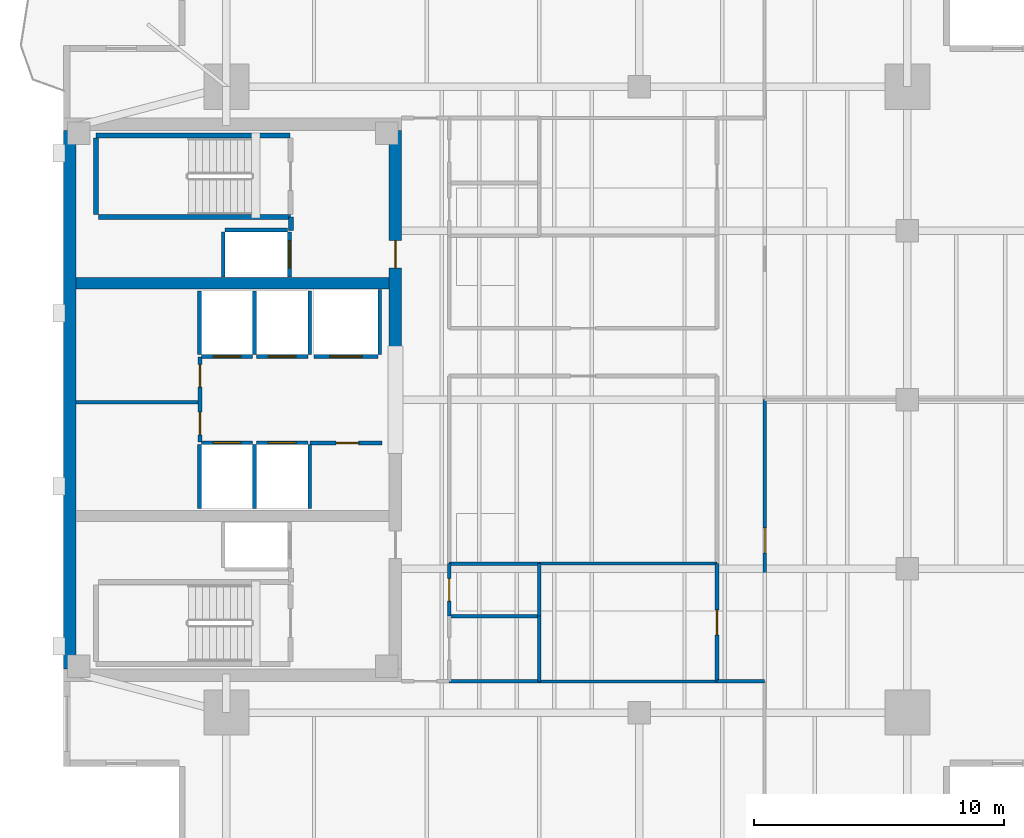
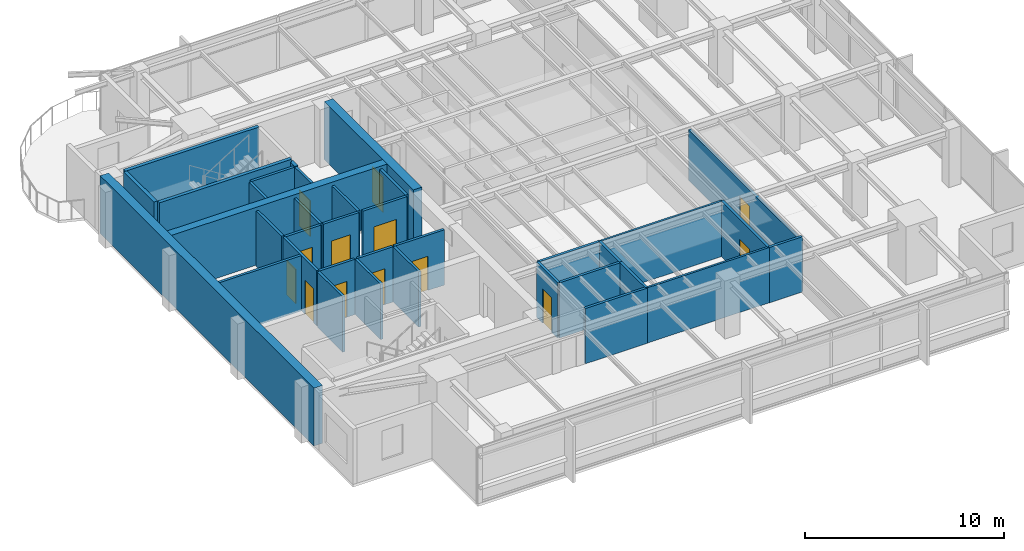
# One storey, part 8 of 14: 36 walls, 13 doors, 13 openings.
"""IFC4 building model written with IfcOpenShell, lengths in metres."""

from ifc_helpers import new_model, si_unit, direction, frame, frame_2d, origin, place, context, subcontext, project, spatial, rectangle, extrude, material, layer, layer_set, type_object, element, fill, save


model = new_model("IFC4")

# Units and contexts
model_context = context("Model", 3, precision=1e-05, world=origin(), true_north=direction((0.0, 1.0)))
body_context = subcontext(model_context, "Body", "Model", "MODEL_VIEW")
ifc_project = project(units=[si_unit("LENGTHUNIT", "METRE"), si_unit("AREAUNIT", "SQUARE_METRE"), si_unit("VOLUMEUNIT", "CUBIC_METRE"), si_unit("PLANEANGLEUNIT", "RADIAN"), si_unit("MASSUNIT", "GRAM", prefix="KILO")], contexts=[model_context])

# Site, building, storey
site_placement = place(None, origin())
site = spatial("IfcSite", under=ifc_project, at=site_placement, CompositionType="ELEMENT")
building_placement = place(site_placement, origin())
building = spatial("IfcBuilding", under=site, at=building_placement, Name="Kinhvarn Gate Tower", CompositionType="ELEMENT")
storey_placement = place(building_placement, frame((0.0, 0.0, 259.89990234375)))
storey = spatial("IfcBuildingStorey", under=building, at=storey_placement, Name="L69", CompositionType="ELEMENT", Elevation=259.89990234375)

# Wall
ifc_material_1 = material(Name="Concrete C50/60", Category="concrete")
ifc_layer_1 = layer(ifc_material_1, 0.449951171875)
ifc_layer_set_1 = layer_set([ifc_layer_1], Name="Concrete C50/60")
wall_type_1 = type_object("IfcWallType", Name="WL-CORE-450", PredefinedType="SHEAR", material=ifc_layer_set_1)
wall_1_placement = place(storey_placement, frame((5.0, 29.89990234375, 0.0), z_axis=(0.0, 0.0, 1.0), x_axis=(1.0, 0.0, 0.0)))
element("IfcWall", 1, at=wall_1_placement, inside=storey, type_object=wall_type_1, Name="Core North Spine Shear Wall L69 450 mm", PredefinedType="SHEAR", context=body_context, shape_type="SweptSolid", body=[
    extrude(rectangle(XDim=12.5, YDim=0.449951171875, at=frame_2d((6.25, 0.0))), origin(), (0.0, 0.0, 1.0), 3.550048828125),
])

# Wall, opening, door
ifc_layer_2 = layer(ifc_material_1, 0.5)
ifc_layer_set_2 = layer_set([ifc_layer_2], Name="Concrete C50/60")
wall_type_2 = type_object("IfcWallType", Name="WL-CORE-500", PredefinedType="SHEAR", material=ifc_layer_set_2)
wall_2_placement = place(storey_placement, frame((17.75, 27.050048828125, 0.0), z_axis=(0.0, 0.0, 1.0), x_axis=(0.0, 1.0, 0.0)))
wall_2 = element("IfcWall", 2, at=wall_2_placement, inside=storey, type_object=wall_type_2, Name="Core East-North Shear Pier L69 500 mm", PredefinedType="SHEAR", context=body_context, shape_type="SweptSolid", body=[
    extrude(rectangle(XDim=8.949951171875, YDim=0.5, at=frame_2d((4.47509765625, 0.0))), origin(), (0.0, 0.0, 1.0), 3.550048828125),
])
opening_1_placement = place(wall_2_placement, frame((3.449951171875, 0.0, 0.0)))
opening_1 = element("IfcOpeningElement", 3, at=opening_1_placement, cuts=wall_2, Name="Opening FD-02", PredefinedType="OPENING", context=body_context, shape_type="SweptSolid", body=[
    extrude(rectangle(XDim=1.10009765625, YDim=2.14990234375, at=frame_2d((0.550048828125, 1.074951171875))), frame((0.0, 0.260009765625, 0.0), z_axis=(0.0, -1.0, 0.0), x_axis=(1.0, 0.0, 0.0)), (0.0, 0.0, 1.0), 0.52001953125),
])
ifc_material_2 = material(Name="Anodised aluminium AW-6063", Category="aluminium")
door_type_1 = type_object("IfcDoorType", Name="DR-FD-1100", OperationType="NOTDEFINED", PredefinedType="DOOR", material=ifc_material_2)
door_1_placement = place(opening_1_placement, origin())
door_1 = element("IfcDoor", 4, at=door_1_placement, inside=storey, type_object=door_type_1, Name="Firefighting Lobby Core Door (L69)", OperationType="SINGLE_SWING_LEFT", OverallHeight=2.14990234375, OverallWidth=1.10009765625, PredefinedType="DOOR", context=body_context, shape_type="SweptSolid", body=[
    extrude(rectangle(XDim=1.10009765625, YDim=2.14990234375, at=frame_2d((0.550048828125, 1.074951171875))), frame((0.0, 0.02490234375, 0.0), z_axis=(0.0, -1.0, 0.0), x_axis=(1.0, 0.0, 0.0)), (0.0, 0.0, 1.0), 0.050048828125),
])
fill(opening_1, door_1)

# Walls
ifc_layer_3 = layer(ifc_material_1, 0.5)
ifc_layer_set_3 = layer_set([ifc_layer_3], Name="Concrete C50/60")
wall_type_3 = type_object("IfcWallType", Name="WL-COREX-500", PredefinedType="SHEAR", material=ifc_layer_set_3)
wall_3_placement = place(storey_placement, frame((4.75, 14.5, 0.0), z_axis=(0.0, 0.0, 1.0), x_axis=(0.0, 1.0, 0.0)))
element("IfcWall", 5, at=wall_3_placement, inside=storey, type_object=wall_type_3, Name="Core West Shear Wall L69 500 mm", PredefinedType="SHEAR", context=body_context, shape_type="SweptSolid", body=[
    extrude(rectangle(XDim=21.5, YDim=0.5, at=frame_2d((10.75, 0.0))), origin(), (0.0, 0.0, 1.0), 3.550048828125),
])
ifc_material_3 = material(Name="Gypsum acoustic partition board")
ifc_layer_4 = layer(ifc_material_3, 0.14990234375)
ifc_layer_set_4 = layer_set([ifc_layer_4], Name="Gypsum acoustic partition board")
wall_type_4 = type_object("IfcWallType", Name="WL-PLM-150", PredefinedType="PLUMBINGWALL", material=ifc_layer_set_4)
wall_4_placement = place(storey_placement, frame((19.89990234375, 16.60009765625, 0.0), z_axis=(0.0, 0.0, 1.0), x_axis=(1.0, 0.0, 0.0)))
element("IfcWall", 6, at=wall_4_placement, inside=storey, type_object=wall_type_4, Name="Interior Partition PLW-150 (L69)", PredefinedType="PLUMBINGWALL", context=body_context, shape_type="SweptSolid", body=[
    extrude(rectangle(XDim=3.60009765625, YDim=0.14990234375, at=frame_2d((1.800048828125, 0.0))), origin(), (0.0, 0.0, 1.0), 3.39013671875),
])
wall_5_placement = place(storey_placement, frame((23.5, 14.0, 0.0), z_axis=(0.0, 0.0, 1.0), x_axis=(0.0, 1.0, 0.0)))
element("IfcWall", 7, at=wall_5_placement, inside=storey, type_object=wall_type_4, Name="Interior Partition PLW-150 (L69)", PredefinedType="PLUMBINGWALL", context=body_context, shape_type="SweptSolid", body=[
    extrude(rectangle(XDim=2.60009765625, YDim=0.14990234375, at=frame_2d((1.300048828125, 0.0))), origin(), (0.0, 0.0, 1.0), 3.39013671875),
])
wall_6_placement = place(storey_placement, frame((19.89990234375, 14.0, 0.0), z_axis=(0.0, 0.0, 1.0), x_axis=(1.0, 0.0, 0.0)))
element("IfcWall", 8, at=wall_6_placement, inside=storey, type_object=wall_type_4, Name="Interior Partition PLW-150 (L69)", PredefinedType="PLUMBINGWALL", context=body_context, shape_type="SweptSolid", body=[
    extrude(rectangle(XDim=3.60009765625, YDim=0.14990234375, at=frame_2d((1.800048828125, 0.0))), origin(), (0.0, 0.0, 1.0), 3.39013671875),
])
wall_7_placement = place(storey_placement, frame((23.5, 16.60009765625, 0.0), z_axis=(0.0, 0.0, 1.0), x_axis=(0.0, 1.0, 0.0)))
element("IfcWall", 9, at=wall_7_placement, inside=storey, type_object=wall_type_4, Name="Interior Partition PLW-150 (L69)", PredefinedType="PLUMBINGWALL", context=body_context, shape_type="SweptSolid", body=[
    extrude(rectangle(XDim=2.099853515625, YDim=0.14990234375, at=frame_2d((1.0498046875, 0.0))), origin(), (0.0, 0.0, 1.0), 3.39013671875),
])
wall_8_placement = place(storey_placement, frame((19.89990234375, 18.699951171875, 0.0), z_axis=(0.0, 0.0, 1.0), x_axis=(1.0, 0.0, 0.0)))
element("IfcWall", 10, at=wall_8_placement, inside=storey, type_object=wall_type_4, Name="Interior Partition PLW-150 (L69)", PredefinedType="PLUMBINGWALL", context=body_context, shape_type="SweptSolid", body=[
    extrude(rectangle(XDim=3.60009765625, YDim=0.14990234375, at=frame_2d((1.800048828125, 0.0))), origin(), (0.0, 0.0, 1.0), 3.39013671875),
])

# Wall, opening, door
ifc_layer_5 = layer(ifc_material_3, 0.14990234375)
ifc_layer_set_5 = layer_set([ifc_layer_5], Name="Gypsum acoustic partition board")
wall_type_5 = type_object("IfcWallType", Name="WL-PLM-150F", PredefinedType="PLUMBINGWALL", material=ifc_layer_set_5)
wall_9_placement = place(storey_placement, frame((19.89990234375, 16.60009765625, 0.0), z_axis=(0.0, 0.0, 1.0), x_axis=(0.0, 1.0, 0.0)))
wall_9 = element("IfcWall", 11, at=wall_9_placement, inside=storey, type_object=wall_type_5, Name="Interior Partition PLW-150F (L69)", PredefinedType="PLUMBINGWALL", context=body_context, shape_type="SweptSolid", body=[
    extrude(rectangle(XDim=2.099853515625, YDim=0.14990234375, at=frame_2d((1.0498046875, 0.0))), origin(), (0.0, 0.0, 1.0), 3.39013671875),
])
opening_2_placement = place(wall_9_placement, frame((0.60009765625, 0.0, 0.0)))
opening_2 = element("IfcOpeningElement", 12, at=opening_2_placement, cuts=wall_9, Name="Opening FD-04", PredefinedType="OPENING", context=body_context, shape_type="SweptSolid", body=[
    extrude(rectangle(XDim=0.89990234375, YDim=2.10009765625, at=frame_2d((0.449951171875, 1.050048828125))), frame((0.0, 0.0849609375, 0.0), z_axis=(0.0, -1.0, 0.0), x_axis=(1.0, 0.0, 0.0)), (0.0, 0.0, 1.0), 0.169921875),
])
door_type_2 = type_object("IfcDoorType", Name="DR-FD-900", OperationType="NOTDEFINED", PredefinedType="DOOR", material=ifc_material_2)
door_2_placement = place(opening_2_placement, origin())
door_2 = element("IfcDoor", 13, at=door_2_placement, inside=storey, type_object=door_type_2, Name="Rated Riser & Service Closet Fire Door 900x2100 mm (L69)", OperationType="SINGLE_SWING_LEFT", OverallHeight=2.10009765625, OverallWidth=0.89990234375, PredefinedType="DOOR", context=body_context, shape_type="SweptSolid", body=[
    extrude(rectangle(XDim=0.89990234375, YDim=2.10009765625, at=frame_2d((0.449951171875, 1.050048828125))), frame((0.0, 0.02490234375, 0.0), z_axis=(0.0, -1.0, 0.0), x_axis=(1.0, 0.0, 0.0)), (0.0, 0.0, 1.0), 0.050048828125),
])
fill(opening_2, door_2)

# Walls
ifc_layer_6 = layer(ifc_material_3, 0.1201171875)
ifc_layer_set_6 = layer_set([ifc_layer_6], Name="Gypsum acoustic partition board")
wall_type_6 = type_object("IfcWallType", Name="WL-PRT-120", PredefinedType="PARTITIONING", material=ifc_layer_set_6)
for number, where, z_axis, x_axis, name in (
    (14, (23.5, 18.699951171875, 0.0), (0.0, 0.0, 1.0), (1.0, 0.0, 0.0), "Interior Partition PW-120 (L69)"),
    (15, (23.5, 14.0, 0.0), (0.0, 0.0, 1.0), (1.0, 0.0, 0.0), "Interior Partition PW-120 (L69)"),
):
    element("IfcWall", number, at=place(storey_placement, frame(where, z_axis=z_axis, x_axis=x_axis)), inside=storey, type_object=wall_type_6, Name=name, PredefinedType="PARTITIONING", context=body_context, shape_type="SweptSolid", body=[
        extrude(rectangle(XDim=7.10009765625, YDim=0.1201171875, at=frame_2d((3.550048828125, 0.0))), origin(), (0.0, 0.0, 1.0), 3.39013671875),
    ])
ifc_layer_7 = layer(ifc_material_3, 0.14990234375)
ifc_layer_set_7 = layer_set([ifc_layer_7], Name="Gypsum acoustic partition board")
wall_type_7 = type_object("IfcWallType", Name="WL-PRT-150F", PredefinedType="PARTITIONING", material=ifc_layer_set_7)
wall_10_placement = place(storey_placement, frame((5.0, 25.14990234375, 0.0), z_axis=(0.0, 0.0, 1.0), x_axis=(1.0, 0.0, 0.0)))
element("IfcWall", 16, at=wall_10_placement, inside=storey, type_object=wall_type_7, Name="Interior Partition PW-150F (L69)", PredefinedType="PARTITIONING", context=body_context, shape_type="SweptSolid", body=[
    extrude(rectangle(XDim=4.949951171875, YDim=0.14990234375, at=frame_2d((2.47509765625, 0.0))), origin(), (0.0, 0.0, 1.0), 3.39013671875),
])

# Wall, openings, doors
wall_11_placement = place(storey_placement, frame((9.949951171875, 23.550048828125, 0.0), z_axis=(0.0, 0.0, 1.0), x_axis=(0.0, 1.0, 0.0)))
wall_11 = element("IfcWall", 17, at=wall_11_placement, inside=storey, type_object=wall_type_7, Name="Interior Partition PW-150F (L69)", PredefinedType="PARTITIONING", context=body_context, shape_type="SweptSolid", body=[
    extrude(rectangle(XDim=3.39990234375, YDim=0.14990234375, at=frame_2d((1.699951171875, 0.0))), origin(), (0.0, 0.0, 1.0), 3.39013671875),
])
opening_3_placement = place(wall_11_placement, frame((0.298095703125, 0.0, 0.0)))
opening_3 = element("IfcOpeningElement", 18, at=opening_3_placement, cuts=wall_11, Name="Opening FD-04", PredefinedType="OPENING", context=body_context, shape_type="SweptSolid", body=[
    extrude(rectangle(XDim=0.89990234375, YDim=2.10009765625, at=frame_2d((0.449951171875, 1.050048828125))), frame((0.0, 0.0849609375, 0.0), z_axis=(0.0, -1.0, 0.0), x_axis=(1.0, 0.0, 0.0)), (0.0, 0.0, 1.0), 0.169921875),
])
opening_4_placement = place(wall_11_placement, frame((2.201904296875, 0.0, 0.0)))
opening_4 = element("IfcOpeningElement", 19, at=opening_4_placement, cuts=wall_11, Name="Opening FD-04", PredefinedType="OPENING", context=body_context, shape_type="SweptSolid", body=[
    extrude(rectangle(XDim=0.89990234375, YDim=2.10009765625, at=frame_2d((0.449951171875, 1.050048828125))), frame((0.0, 0.0849609375, 0.0), z_axis=(0.0, -1.0, 0.0), x_axis=(1.0, 0.0, 0.0)), (0.0, 0.0, 1.0), 0.169921875),
])
door_3_placement = place(opening_3_placement, origin())
door_3 = element("IfcDoor", 20, at=door_3_placement, inside=storey, type_object=door_type_2, Name="Rated Riser & Service Closet Fire Door 900x2100 mm (L69)", OperationType="SINGLE_SWING_RIGHT", OverallHeight=2.10009765625, OverallWidth=0.89990234375, PredefinedType="DOOR", context=body_context, shape_type="SweptSolid", body=[
    extrude(rectangle(XDim=0.89990234375, YDim=2.10009765625, at=frame_2d((0.449951171875, 1.050048828125))), frame((0.0, 0.02490234375, 0.0), z_axis=(0.0, -1.0, 0.0), x_axis=(1.0, 0.0, 0.0)), (0.0, 0.0, 1.0), 0.050048828125),
])
fill(opening_3, door_3)
door_4_placement = place(opening_4_placement, origin())
door_4 = element("IfcDoor", 21, at=door_4_placement, inside=storey, type_object=door_type_2, Name="Rated Riser & Service Closet Fire Door 900x2100 mm (L69)", OperationType="SINGLE_SWING_LEFT", OverallHeight=2.10009765625, OverallWidth=0.89990234375, PredefinedType="DOOR", context=body_context, shape_type="SweptSolid", body=[
    extrude(rectangle(XDim=0.89990234375, YDim=2.10009765625, at=frame_2d((0.449951171875, 1.050048828125))), frame((0.0, 0.02490234375, 0.0), z_axis=(0.0, -1.0, 0.0), x_axis=(1.0, 0.0, 0.0)), (0.0, 0.0, 1.0), 0.050048828125),
])
fill(opening_4, door_4)

# Wall, opening, door
wall_12_placement = place(storey_placement, frame((14.330078125, 23.52001953125, 0.0), z_axis=(0.0, 0.0, 1.0), x_axis=(1.0, 0.0, 0.0)))
wall_12 = element("IfcWall", 22, at=wall_12_placement, inside=storey, type_object=wall_type_7, Name="Interior Partition PW-150F (L69)", PredefinedType="PARTITIONING", context=body_context, shape_type="SweptSolid", body=[
    extrude(rectangle(XDim=2.889892578125, YDim=0.14990234375, at=frame_2d((1.44482421875, 0.0))), origin(), (0.0, 0.0, 1.0), 3.39013671875),
])
opening_5_placement = place(wall_12_placement, frame((1.052734375, 0.0, 0.0)))
opening_5 = element("IfcOpeningElement", 23, at=opening_5_placement, cuts=wall_12, Name="Opening FD-04", PredefinedType="OPENING", context=body_context, shape_type="SweptSolid", body=[
    extrude(rectangle(XDim=0.89990234375, YDim=2.10009765625, at=frame_2d((0.449951171875, 1.050048828125))), frame((0.0, 0.0849609375, 0.0), z_axis=(0.0, -1.0, 0.0), x_axis=(1.0, 0.0, 0.0)), (0.0, 0.0, 1.0), 0.169921875),
])
door_5_placement = place(opening_5_placement, origin())
door_5 = element("IfcDoor", 24, at=door_5_placement, inside=storey, type_object=door_type_2, Name="Rated Riser & Service Closet Fire Door 900x2100 mm (L69)", OperationType="SINGLE_SWING_RIGHT", OverallHeight=2.10009765625, OverallWidth=0.89990234375, PredefinedType="DOOR", context=body_context, shape_type="SweptSolid", body=[
    extrude(rectangle(XDim=0.89990234375, YDim=2.10009765625, at=frame_2d((0.449951171875, 1.050048828125))), frame((0.0, 0.02490234375, 0.0), z_axis=(0.0, -1.0, 0.0), x_axis=(1.0, 0.0, 0.0)), (0.0, 0.0, 1.0), 0.050048828125),
])
fill(opening_5, door_5)

wall_13_placement = place(storey_placement, frame((30.60009765625, 14.0, 0.0), z_axis=(0.0, 0.0, 1.0), x_axis=(0.0, 1.0, 0.0)))
wall_13 = element("IfcWall", 25, at=wall_13_placement, inside=storey, type_object=wall_type_7, Name="Interior Partition PW-150F (L69)", PredefinedType="PARTITIONING", context=body_context, shape_type="SweptSolid", body=[
    extrude(rectangle(XDim=4.699951171875, YDim=0.14990234375, at=frame_2d((2.35009765625, 0.0))), origin(), (0.0, 0.0, 1.0), 3.39013671875),
])
opening_6_placement = place(wall_13_placement, frame((1.85009765625, 0.0, 0.0)))
opening_6 = element("IfcOpeningElement", 26, at=opening_6_placement, cuts=wall_13, Name="Opening ID-02", PredefinedType="OPENING", context=body_context, shape_type="SweptSolid", body=[
    extrude(rectangle(XDim=1.0, YDim=2.14990234375, at=frame_2d((0.5, 1.074951171875))), frame((0.0, 0.0849609375, 0.0), z_axis=(0.0, -1.0, 0.0), x_axis=(1.0, 0.0, 0.0)), (0.0, 0.0, 1.0), 0.169921875),
])
door_type_3 = type_object("IfcDoorType", Name="DR-INT-1000", OperationType="NOTDEFINED", PredefinedType="DOOR", material=ifc_material_2)
door_6_placement = place(opening_6_placement, origin())
door_6 = element("IfcDoor", 27, at=door_6_placement, inside=storey, type_object=door_type_3, Name="Standard Office & Meeting Room Door 1000x2150 mm (L69)", OperationType="SINGLE_SWING_LEFT", OverallHeight=2.14990234375, OverallWidth=1.0, PredefinedType="DOOR", context=body_context, shape_type="SweptSolid", body=[
    extrude(rectangle(XDim=1.0, YDim=2.14990234375, at=frame_2d((0.5, 1.074951171875))), frame((0.0, 0.02490234375, 0.0), z_axis=(0.0, -1.0, 0.0), x_axis=(1.0, 0.0, 0.0)), (0.0, 0.0, 1.0), 0.050048828125),
])
fill(opening_6, door_6)

# Wall
wall_14_placement = place(storey_placement, frame((30.60009765625, 14.0, 0.0), z_axis=(0.0, 0.0, 1.0), x_axis=(1.0, 0.0, 0.0)))
element("IfcWall", 28, at=wall_14_placement, inside=storey, type_object=wall_type_7, Name="Interior Partition PW-150F (L69)", PredefinedType="PARTITIONING", context=body_context, shape_type="SweptSolid", body=[
    extrude(rectangle(XDim=1.89990234375, YDim=0.14990234375, at=frame_2d((0.949951171875, 0.0))), origin(), (0.0, 0.0, 1.0), 3.39013671875),
])

# Wall, opening, door
wall_15_placement = place(storey_placement, frame((32.5, 14.0, 0.0), z_axis=(0.0, 0.0, 1.0), x_axis=(0.0, 1.0, 0.0)))
wall_15 = element("IfcWall", 29, at=wall_15_placement, inside=storey, type_object=wall_type_7, Name="Interior Partition PW-150F (L69)", PredefinedType="PARTITIONING", context=body_context, shape_type="SweptSolid", body=[
    extrude(rectangle(XDim=11.25, YDim=0.14990234375, at=frame_2d((5.625, 0.0))), origin(), (0.0, 0.0, 1.0), 3.1201171875),
])
opening_7_placement = place(wall_15_placement, frame((5.125, 0.0, 0.0)))
opening_7 = element("IfcOpeningElement", 30, at=opening_7_placement, cuts=wall_15, Name="Opening ID-02", PredefinedType="OPENING", context=body_context, shape_type="SweptSolid", body=[
    extrude(rectangle(XDim=1.0, YDim=2.14990234375, at=frame_2d((0.5, 1.074951171875))), frame((0.0, 0.0849609375, 0.0), z_axis=(0.0, -1.0, 0.0), x_axis=(1.0, 0.0, 0.0)), (0.0, 0.0, 1.0), 0.169921875),
])
door_7_placement = place(opening_7_placement, origin())
door_7 = element("IfcDoor", 31, at=door_7_placement, inside=storey, type_object=door_type_3, Name="Standard Office & Meeting Room Door 1000x2150 mm (L69)", OperationType="SINGLE_SWING_LEFT", OverallHeight=2.14990234375, OverallWidth=1.0, PredefinedType="DOOR", context=body_context, shape_type="SweptSolid", body=[
    extrude(rectangle(XDim=1.0, YDim=2.14990234375, at=frame_2d((0.5, 1.074951171875))), frame((0.0, 0.02490234375, 0.0), z_axis=(0.0, -1.0, 0.0), x_axis=(1.0, 0.0, 0.0)), (0.0, 0.0, 1.0), 0.050048828125),
])
fill(opening_7, door_7)

# Wall
ifc_layer_8 = layer(ifc_material_3, 0.199951171875)
ifc_layer_set_8 = layer_set([ifc_layer_8], Name="Gypsum acoustic partition board")
wall_type_8 = type_object("IfcWallType", Name="WL-PRT-200", PredefinedType="PARTITIONING", material=ifc_layer_set_8)
wall_16_placement = place(storey_placement, frame((13.580078125, 32.0, 0.0), z_axis=(0.0, 0.0, 1.0), x_axis=(0.0, 1.0, 0.0)))
element("IfcWall", 32, at=wall_16_placement, inside=storey, type_object=wall_type_8, Name="Interior Partition PW-200 (L69)", PredefinedType="PARTITIONING", context=body_context, shape_type="SweptSolid", body=[
    extrude(rectangle(XDim=0.5400390625, YDim=0.199951171875, at=frame_2d((0.27001953125, 0.0))), origin(), (0.0, 0.0, 1.0), 3.39013671875),
])

# Wall, opening, door
ifc_layer_9 = layer(ifc_material_3, 0.14990234375)
ifc_layer_set_9 = layer_set([ifc_layer_9], Name="Gypsum acoustic partition board")
wall_type_9 = type_object("IfcWallType", Name="WL-SHF-150", PredefinedType="PARTITIONING", material=ifc_layer_set_9)
wall_17_placement = place(storey_placement, frame((10.0, 23.52490234375, 0.0), z_axis=(0.0, 0.0, 1.0), x_axis=(1.0, 0.0, 0.0)))
wall_17 = element("IfcWall", 33, at=wall_17_placement, inside=storey, type_object=wall_type_9, Name="Elevator PH-09 Landing Wall (L69)", PredefinedType="PARTITIONING", context=body_context, shape_type="SweptSolid", body=[
    extrude(rectangle(XDim=2.050048828125, YDim=0.14990234375, at=frame_2d((1.02490234375, 0.0))), origin(), (0.0, 0.0, 1.0), 3.39013671875),
])
opening_8_placement = place(wall_17_placement, frame((0.47509765625, 0.0, 0.0)))
opening_8 = element("IfcOpeningElement", 34, at=opening_8_placement, cuts=wall_17, Name="Opening LD-01", PredefinedType="OPENING", context=body_context, shape_type="SweptSolid", body=[
    extrude(rectangle(XDim=1.10009765625, YDim=2.199951171875, at=frame_2d((0.550048828125, 1.10009765625))), frame((0.0, 0.0849609375, 0.0), z_axis=(0.0, -1.0, 0.0), x_axis=(1.0, 0.0, 0.0)), (0.0, 0.0, 1.0), 0.169921875),
])
door_type_4 = type_object("IfcDoorType", Name="DR-LND-PAS", OperationType="NOTDEFINED", PredefinedType="DOOR", material=ifc_material_2)
door_8_placement = place(opening_8_placement, origin())
door_8 = element("IfcDoor", 35, at=door_8_placement, inside=storey, type_object=door_type_4, Name="Elevator PH-09 Sliding Landing Door (L69)", OperationType="DOUBLE_DOOR_SLIDING", OverallHeight=2.199951171875, OverallWidth=1.10009765625, PredefinedType="DOOR", context=body_context, shape_type="SweptSolid", body=[
    extrude(rectangle(XDim=1.10009765625, YDim=2.199951171875, at=frame_2d((0.550048828125, 1.10009765625))), frame((0.0, 0.02490234375, 0.0), z_axis=(0.0, -1.0, 0.0), x_axis=(1.0, 0.0, 0.0)), (0.0, 0.0, 1.0), 0.050048828125),
])
fill(opening_8, door_8)

# Walls
for number, where, z_axis, x_axis, name in (
    (36, (9.925048828125, 20.89990234375, 0.0), (0.0, 0.0, 1.0), (0.0, 1.0, 0.0), "Elevator PH-09 Hoistway Wall W (L69)"),
    (37, (12.125, 20.89990234375, 0.0), (0.0, 0.0, 1.0), (0.0, 1.0, 0.0), "Elevator PH-09 Hoistway Wall E (L69)"),
):
    element("IfcWall", number, at=place(storey_placement, frame(where, z_axis=z_axis, x_axis=x_axis)), inside=storey, type_object=wall_type_9, Name=name, PredefinedType="PARTITIONING", context=body_context, shape_type="SweptSolid", body=[
        extrude(rectangle(XDim=2.550048828125, YDim=0.14990234375, at=frame_2d((1.27490234375, 0.0))), origin(), (0.0, 0.0, 1.0), 3.39013671875),
    ])

# Wall, opening, door
wall_18_placement = place(storey_placement, frame((12.199951171875, 23.52490234375, 0.0), z_axis=(0.0, 0.0, 1.0), x_axis=(1.0, 0.0, 0.0)))
wall_18 = element("IfcWall", 38, at=wall_18_placement, inside=storey, type_object=wall_type_9, Name="Elevator PH-10 Landing Wall (L69)", PredefinedType="PARTITIONING", context=body_context, shape_type="SweptSolid", body=[
    extrude(rectangle(XDim=2.050048828125, YDim=0.14990234375, at=frame_2d((1.02490234375, 0.0))), origin(), (0.0, 0.0, 1.0), 3.39013671875),
])
opening_9_placement = place(wall_18_placement, frame((0.47509765625, 0.0, 0.0)))
opening_9 = element("IfcOpeningElement", 39, at=opening_9_placement, cuts=wall_18, Name="Opening LD-01", PredefinedType="OPENING", context=body_context, shape_type="SweptSolid", body=[
    extrude(rectangle(XDim=1.10009765625, YDim=2.199951171875, at=frame_2d((0.550048828125, 1.10009765625))), frame((0.0, 0.0849609375, 0.0), z_axis=(0.0, -1.0, 0.0), x_axis=(1.0, 0.0, 0.0)), (0.0, 0.0, 1.0), 0.169921875),
])
door_9_placement = place(opening_9_placement, origin())
door_9 = element("IfcDoor", 40, at=door_9_placement, inside=storey, type_object=door_type_4, Name="Elevator PH-10 Sliding Landing Door (L69)", OperationType="DOUBLE_DOOR_SLIDING", OverallHeight=2.199951171875, OverallWidth=1.10009765625, PredefinedType="DOOR", context=body_context, shape_type="SweptSolid", body=[
    extrude(rectangle(XDim=1.10009765625, YDim=2.199951171875, at=frame_2d((0.550048828125, 1.10009765625))), frame((0.0, 0.02490234375, 0.0), z_axis=(0.0, -1.0, 0.0), x_axis=(1.0, 0.0, 0.0)), (0.0, 0.0, 1.0), 0.050048828125),
])
fill(opening_9, door_9)

# Wall
wall_19_placement = place(storey_placement, frame((14.324951171875, 20.89990234375, 0.0), z_axis=(0.0, 0.0, 1.0), x_axis=(0.0, 1.0, 0.0)))
element("IfcWall", 41, at=wall_19_placement, inside=storey, type_object=wall_type_9, Name="Elevator PH-10 Hoistway Wall E (L69)", PredefinedType="PARTITIONING", context=body_context, shape_type="SweptSolid", body=[
    extrude(rectangle(XDim=2.550048828125, YDim=0.14990234375, at=frame_2d((1.27490234375, 0.0))), origin(), (0.0, 0.0, 1.0), 3.39013671875),
])

# Wall, opening, door
wall_20_placement = place(storey_placement, frame((10.0, 26.97509765625, 0.0), z_axis=(0.0, 0.0, 1.0), x_axis=(1.0, 0.0, 0.0)))
wall_20 = element("IfcWall", 42, at=wall_20_placement, inside=storey, type_object=wall_type_9, Name="Elevator PH-11 Landing Wall (L69)", PredefinedType="PARTITIONING", context=body_context, shape_type="SweptSolid", body=[
    extrude(rectangle(XDim=2.050048828125, YDim=0.14990234375, at=frame_2d((1.02490234375, 0.0))), origin(), (0.0, 0.0, 1.0), 3.39013671875),
])
opening_10_placement = place(wall_20_placement, frame((0.47509765625, 0.0, 0.0)))
opening_10 = element("IfcOpeningElement", 43, at=opening_10_placement, cuts=wall_20, Name="Opening LD-01", PredefinedType="OPENING", context=body_context, shape_type="SweptSolid", body=[
    extrude(rectangle(XDim=1.10009765625, YDim=2.199951171875, at=frame_2d((0.550048828125, 1.10009765625))), frame((0.0, 0.0849609375, 0.0), z_axis=(0.0, -1.0, 0.0), x_axis=(1.0, 0.0, 0.0)), (0.0, 0.0, 1.0), 0.169921875),
])
door_10_placement = place(opening_10_placement, origin())
door_10 = element("IfcDoor", 44, at=door_10_placement, inside=storey, type_object=door_type_4, Name="Elevator PH-11 Sliding Landing Door (L69)", OperationType="DOUBLE_DOOR_SLIDING", OverallHeight=2.199951171875, OverallWidth=1.10009765625, PredefinedType="DOOR", context=body_context, shape_type="SweptSolid", body=[
    extrude(rectangle(XDim=1.10009765625, YDim=2.199951171875, at=frame_2d((0.550048828125, 1.10009765625))), frame((0.0, 0.02490234375, 0.0), z_axis=(0.0, -1.0, 0.0), x_axis=(1.0, 0.0, 0.0)), (0.0, 0.0, 1.0), 0.050048828125),
])
fill(opening_10, door_10)

# Walls
for number, where, z_axis, x_axis, name in (
    (45, (9.925048828125, 27.050048828125, 0.0), (0.0, 0.0, 1.0), (0.0, 1.0, 0.0), "Elevator PH-11 Hoistway Wall W (L69)"),
    (46, (12.125, 27.050048828125, 0.0), (0.0, 0.0, 1.0), (0.0, 1.0, 0.0), "Elevator PH-11 Hoistway Wall E (L69)"),
):
    element("IfcWall", number, at=place(storey_placement, frame(where, z_axis=z_axis, x_axis=x_axis)), inside=storey, type_object=wall_type_9, Name=name, PredefinedType="PARTITIONING", context=body_context, shape_type="SweptSolid", body=[
        extrude(rectangle(XDim=2.550048828125, YDim=0.14990234375, at=frame_2d((1.27490234375, 0.0))), origin(), (0.0, 0.0, 1.0), 3.39013671875),
    ])

# Wall, opening, door
wall_21_placement = place(storey_placement, frame((12.199951171875, 26.97509765625, 0.0), z_axis=(0.0, 0.0, 1.0), x_axis=(1.0, 0.0, 0.0)))
wall_21 = element("IfcWall", 47, at=wall_21_placement, inside=storey, type_object=wall_type_9, Name="Elevator PH-12 Landing Wall (L69)", PredefinedType="PARTITIONING", context=body_context, shape_type="SweptSolid", body=[
    extrude(rectangle(XDim=2.050048828125, YDim=0.14990234375, at=frame_2d((1.02490234375, 0.0))), origin(), (0.0, 0.0, 1.0), 3.39013671875),
])
opening_11_placement = place(wall_21_placement, frame((0.47509765625, 0.0, 0.0)))
opening_11 = element("IfcOpeningElement", 48, at=opening_11_placement, cuts=wall_21, Name="Opening LD-01", PredefinedType="OPENING", context=body_context, shape_type="SweptSolid", body=[
    extrude(rectangle(XDim=1.10009765625, YDim=2.199951171875, at=frame_2d((0.550048828125, 1.10009765625))), frame((0.0, 0.0849609375, 0.0), z_axis=(0.0, -1.0, 0.0), x_axis=(1.0, 0.0, 0.0)), (0.0, 0.0, 1.0), 0.169921875),
])
door_11_placement = place(opening_11_placement, origin())
door_11 = element("IfcDoor", 49, at=door_11_placement, inside=storey, type_object=door_type_4, Name="Elevator PH-12 Sliding Landing Door (L69)", OperationType="DOUBLE_DOOR_SLIDING", OverallHeight=2.199951171875, OverallWidth=1.10009765625, PredefinedType="DOOR", context=body_context, shape_type="SweptSolid", body=[
    extrude(rectangle(XDim=1.10009765625, YDim=2.199951171875, at=frame_2d((0.550048828125, 1.10009765625))), frame((0.0, 0.02490234375, 0.0), z_axis=(0.0, -1.0, 0.0), x_axis=(1.0, 0.0, 0.0)), (0.0, 0.0, 1.0), 0.050048828125),
])
fill(opening_11, door_11)

# Wall
wall_22_placement = place(storey_placement, frame((14.324951171875, 27.050048828125, 0.0), z_axis=(0.0, 0.0, 1.0), x_axis=(0.0, 1.0, 0.0)))
element("IfcWall", 50, at=wall_22_placement, inside=storey, type_object=wall_type_9, Name="Elevator PH-12 Hoistway Wall E (L69)", PredefinedType="PARTITIONING", context=body_context, shape_type="SweptSolid", body=[
    extrude(rectangle(XDim=2.550048828125, YDim=0.14990234375, at=frame_2d((1.27490234375, 0.0))), origin(), (0.0, 0.0, 1.0), 3.39013671875),
])

# Wall, opening, door
wall_23_placement = place(storey_placement, frame((14.5, 26.97509765625, 0.0), z_axis=(0.0, 0.0, 1.0), x_axis=(1.0, 0.0, 0.0)))
wall_23 = element("IfcWall", 51, at=wall_23_placement, inside=storey, type_object=wall_type_9, Name="Elevator SV-01 Landing Wall (L69)", PredefinedType="PARTITIONING", context=body_context, shape_type="SweptSolid", body=[
    extrude(rectangle(XDim=2.550048828125, YDim=0.14990234375, at=frame_2d((1.27490234375, 0.0))), origin(), (0.0, 0.0, 1.0), 3.39013671875),
])
opening_12_placement = place(wall_23_placement, frame((0.625, 0.0, 0.0)))
opening_12 = element("IfcOpeningElement", 52, at=opening_12_placement, cuts=wall_23, Name="Opening LD-02", PredefinedType="OPENING", context=body_context, shape_type="SweptSolid", body=[
    extrude(rectangle(XDim=1.300048828125, YDim=2.199951171875, at=frame_2d((0.64990234375, 1.10009765625))), frame((0.0, 0.0849609375, 0.0), z_axis=(0.0, -1.0, 0.0), x_axis=(1.0, 0.0, 0.0)), (0.0, 0.0, 1.0), 0.169921875),
])
door_type_5 = type_object("IfcDoorType", Name="DR-LND-SRV", OperationType="NOTDEFINED", PredefinedType="DOOR", material=ifc_material_2)
door_12_placement = place(opening_12_placement, origin())
door_12 = element("IfcDoor", 53, at=door_12_placement, inside=storey, type_object=door_type_5, Name="Elevator SV-01 Sliding Landing Door (L69)", OperationType="DOUBLE_DOOR_SLIDING", OverallHeight=2.199951171875, OverallWidth=1.300048828125, PredefinedType="DOOR", context=body_context, shape_type="SweptSolid", body=[
    extrude(rectangle(XDim=1.300048828125, YDim=2.199951171875, at=frame_2d((0.64990234375, 1.10009765625))), frame((0.0, 0.02490234375, 0.0), z_axis=(0.0, -1.0, 0.0), x_axis=(1.0, 0.0, 0.0)), (0.0, 0.0, 1.0), 0.050048828125),
])
fill(opening_12, door_12)

# Walls
wall_24_placement = place(storey_placement, frame((17.125, 27.050048828125, 0.0), z_axis=(0.0, 0.0, 1.0), x_axis=(0.0, 1.0, 0.0)))
element("IfcWall", 54, at=wall_24_placement, inside=storey, type_object=wall_type_9, Name="Elevator SV-01 Hoistway Wall E (L69)", PredefinedType="PARTITIONING", context=body_context, shape_type="SweptSolid", body=[
    extrude(rectangle(XDim=2.599853515625, YDim=0.14990234375, at=frame_2d((1.2998046875, 0.0))), origin(), (0.0, 0.0, 1.0), 3.39013671875),
])
wall_25_placement = place(storey_placement, frame((10.949951171875, 32.02490234375, 0.0), z_axis=(0.0, 0.0, 1.0), x_axis=(1.0, 0.0, 0.0)))
element("IfcWall", 55, at=wall_25_placement, inside=storey, type_object=wall_type_9, Name="Elevator FF2 Hoistway Wall N (L69)", PredefinedType="PARTITIONING", context=body_context, shape_type="SweptSolid", body=[
    extrude(rectangle(XDim=2.5, YDim=0.14990234375, at=frame_2d((1.25, 0.0))), origin(), (0.0, 0.0, 1.0), 3.39013671875),
])
wall_26_placement = place(storey_placement, frame((10.875, 30.14990234375, 0.0), z_axis=(0.0, 0.0, 1.0), x_axis=(0.0, 1.0, 0.0)))
element("IfcWall", 56, at=wall_26_placement, inside=storey, type_object=wall_type_9, Name="Elevator FF2 Hoistway Wall W (L69)", PredefinedType="PARTITIONING", context=body_context, shape_type="SweptSolid", body=[
    extrude(rectangle(XDim=1.800048828125, YDim=0.14990234375, at=frame_2d((0.89990234375, 0.0))), origin(), (0.0, 0.0, 1.0), 3.39013671875),
])

# Wall, opening, door
wall_27_placement = place(storey_placement, frame((13.52490234375, 30.14990234375, 0.0), z_axis=(0.0, 0.0, 1.0), x_axis=(0.0, 1.0, 0.0)))
wall_27 = element("IfcWall", 57, at=wall_27_placement, inside=storey, type_object=wall_type_9, Name="Elevator FF2 Landing Wall (L69)", PredefinedType="PARTITIONING", context=body_context, shape_type="SweptSolid", body=[
    extrude(rectangle(XDim=1.800048828125, YDim=0.14990234375, at=frame_2d((0.89990234375, 0.0))), origin(), (0.0, 0.0, 1.0), 3.39013671875),
])
opening_13_placement = place(wall_27_placement, frame((0.35009765625, 0.0, 0.0)))
opening_13 = element("IfcOpeningElement", 58, at=opening_13_placement, cuts=wall_27, Name="Opening LD-03", PredefinedType="OPENING", context=body_context, shape_type="SweptSolid", body=[
    extrude(rectangle(XDim=1.10009765625, YDim=2.199951171875, at=frame_2d((0.550048828125, 1.10009765625))), frame((0.0, 0.0849609375, 0.0), z_axis=(0.0, -1.0, 0.0), x_axis=(1.0, 0.0, 0.0)), (0.0, 0.0, 1.0), 0.169921875),
])
door_type_6 = type_object("IfcDoorType", Name="DR-LND-FF", OperationType="NOTDEFINED", PredefinedType="DOOR", material=ifc_material_2)
door_13_placement = place(opening_13_placement, origin())
door_13 = element("IfcDoor", 59, at=door_13_placement, inside=storey, type_object=door_type_6, Name="Elevator FF2 Sliding Landing Door (L69)", OperationType="DOUBLE_DOOR_SLIDING", OverallHeight=2.199951171875, OverallWidth=1.10009765625, PredefinedType="DOOR", context=body_context, shape_type="SweptSolid", body=[
    extrude(rectangle(XDim=1.10009765625, YDim=2.199951171875, at=frame_2d((0.550048828125, 1.10009765625))), frame((0.0, 0.02490234375, 0.0), z_axis=(0.0, -1.0, 0.0), x_axis=(1.0, 0.0, 0.0)), (0.0, 0.0, 1.0), 0.050048828125),
])
fill(opening_13, door_13)

# Walls
ifc_material_4 = material(Name="Concrete C40/50", Category="concrete")
ifc_layer_10 = layer(ifc_material_4, 0.199951171875)
ifc_layer_set_10 = layer_set([ifc_layer_10], Name="Concrete C40/50")
wall_type_10 = type_object("IfcWallType", Name="WL-SHF-200", PredefinedType="SOLIDWALL", material=ifc_layer_set_10)
wall_28_placement = place(storey_placement, frame((5.800048828125, 35.800048828125, 0.0), z_axis=(0.0, 0.0, 1.0), x_axis=(1.0, 0.0, 0.0)))
element("IfcWall", 60, at=wall_28_placement, inside=storey, type_object=wall_type_10, Name="Stair ST2 North Shaft Wall (L69)", PredefinedType="SOLIDWALL", context=body_context, shape_type="SweptSolid", body=[
    extrude(rectangle(XDim=7.75, YDim=0.199951171875, at=frame_2d((3.875, 0.0))), origin(), (0.0, 0.0, 1.0), 3.550048828125),
])
wall_29_placement = place(storey_placement, frame((5.7900390625, 32.64990234375, 0.0), z_axis=(0.0, 0.0, 1.0), x_axis=(0.0, 1.0, 0.0)))
element("IfcWall", 61, at=wall_29_placement, inside=storey, type_object=wall_type_10, Name="Stair ST2 West Shaft Wall (L69)", PredefinedType="SOLIDWALL", context=body_context, shape_type="SweptSolid", body=[
    extrude(rectangle(XDim=3.050048828125, YDim=0.199951171875, at=frame_2d((1.52490234375, 0.0))), origin(), (0.0, 0.0, 1.0), 3.550048828125),
])
wall_30_placement = place(storey_placement, frame((5.89990234375, 32.5400390625, 0.0), z_axis=(0.0, 0.0, 1.0), x_axis=(1.0, 0.0, 0.0)))
element("IfcWall", 62, at=wall_30_placement, inside=storey, type_object=wall_type_10, Name="Stair ST2 South Shaft Wall (L69)", PredefinedType="SOLIDWALL", context=body_context, shape_type="SweptSolid", body=[
    extrude(rectangle(XDim=7.66015625, YDim=0.199951171875, at=frame_2d((3.830078125, 0.0))), origin(), (0.0, 0.0, 1.0), 3.550048828125),
])

save(model, "model.ifc")
